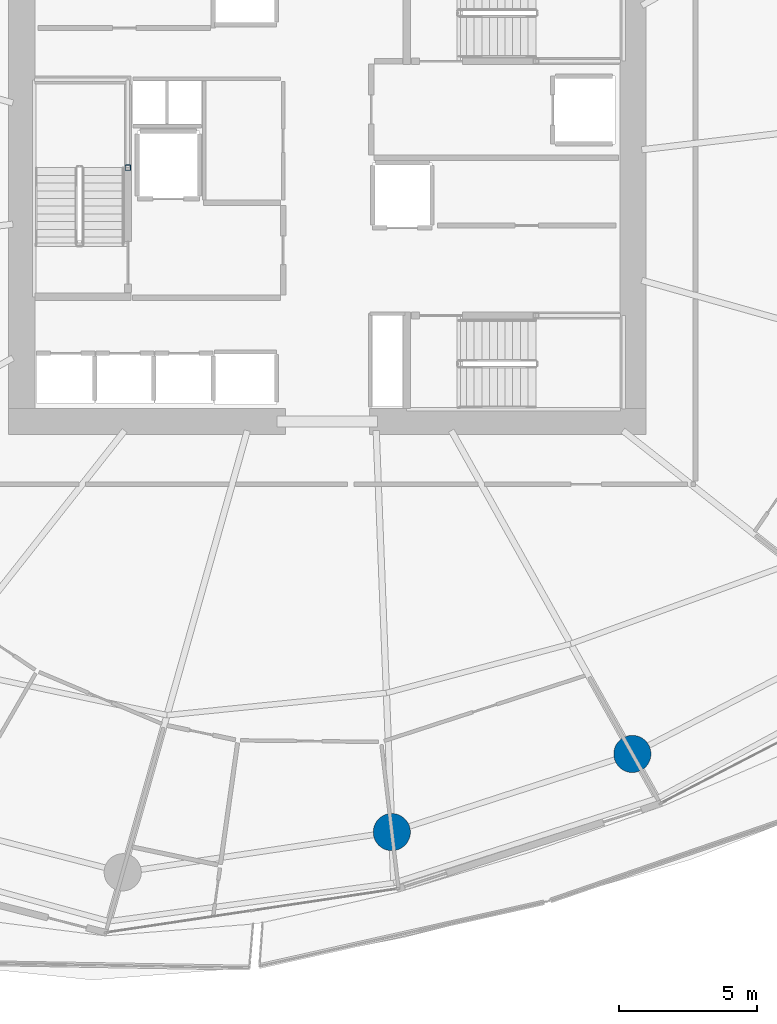
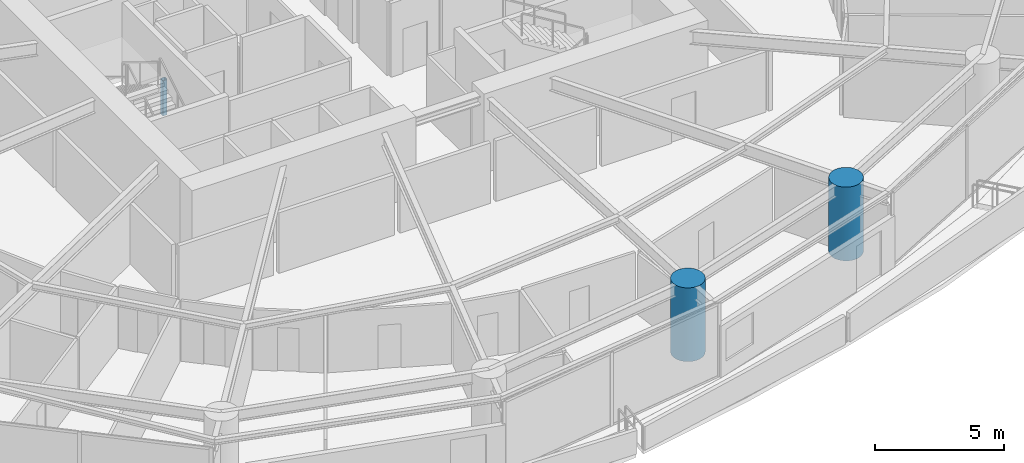
# One storey, part 2 of 31: 3 columns.
"""IFC4 building model written with IfcOpenShell, lengths in metres."""

from ifc_helpers import new_model, si_unit, direction, frame, origin, origin_2d, place, context, subcontext, project, spatial, hollow_rectangle, circle, extrude, material, material_profile, profile_set, type_object, element, save


model = new_model("IFC4")

# Units and contexts
model_context = context("Model", 3, precision=1e-05, world=origin(), true_north=direction((0.0, 1.0)))
body_context = subcontext(model_context, "Body", "Model", "MODEL_VIEW")
ifc_project = project(units=[si_unit("LENGTHUNIT", "METRE"), si_unit("AREAUNIT", "SQUARE_METRE"), si_unit("VOLUMEUNIT", "CUBIC_METRE"), si_unit("PLANEANGLEUNIT", "RADIAN"), si_unit("MASSUNIT", "GRAM", prefix="KILO")], contexts=[model_context])

# Site, building, storey
site_placement = place(None, origin())
site = spatial("IfcSite", under=ifc_project, at=site_placement, CompositionType="ELEMENT")
building_placement = place(site_placement, origin())
building = spatial("IfcBuilding", under=site, at=building_placement, Name="Kazma Halo Residences", CompositionType="ELEMENT")
storey_placement = place(building_placement, frame((0.0, 0.0, 33.89990234375)))
storey = spatial("IfcBuildingStorey", under=building, at=storey_placement, Name="L07", CompositionType="ELEMENT", Elevation=33.89990234375)

# Columns
ifc_material_1 = material(Name="Steel S355", Category="steel")
ifc_material_profile_1 = material_profile(ifc_material_1, hollow_rectangle(XDim=0.199951171875, YDim=0.199951171875, WallThickness=0.010009765625, InnerFilletRadius=0.010009765625, OuterFilletRadius=0.02001953125, at=origin_2d()), Name="SHS200x200x10")
ifc_profile_set_1 = profile_set([ifc_material_profile_1], Name="Steel S355")
column_type_1 = type_object("IfcColumnType", Name="COL-LP-SHS200", PredefinedType="COLUMN", material=ifc_profile_set_1)
column_placement = place(storey_placement, frame((41.179931640625, 42.75, 0.0), z_axis=(0.0, 0.0, 1.0), x_axis=(1.0, 0.0, 0.0)))
element("IfcColumn", 1, at=column_placement, inside=storey, type_object=column_type_1, Name="L07 ST-01 landing pilaster 1", PredefinedType="COLUMN", context=body_context, shape_type="SweptSolid", body=[
    extrude(hollow_rectangle(XDim=0.199951171875, YDim=0.199951171875, WallThickness=0.010009765625, InnerFilletRadius=0.010009765625, OuterFilletRadius=0.02001953125, at=origin_2d()), origin(), (0.0, 0.0, 1.0), 1.670166015625),
])
ifc_material_2 = material(Name="Concrete C80/95", Category="concrete")
ifc_material_profile_2 = material_profile(ifc_material_2, circle(Radius=0.675048828125, at=origin_2d()), Name="CIRC1350")
ifc_profile_set_2 = profile_set([ifc_material_profile_2], Name="Concrete C80/95")
column_type_2 = type_object("IfcColumnType", Name="COL-PERIM-1350", PredefinedType="COLUMN", material=ifc_profile_set_2)
for number, where, z_axis, x_axis, name in (
    (2, (50.768310546875, 18.610595703125, 0.0), (0.0, 0.0, 1.0), (1.0, 0.0, 0.0), "L07 perimeter ring column P12"),
    (3, (59.50830078125, 21.450439453125, 0.0), (0.0, 0.0, 1.0), (1.0, 0.0, 0.0), "L07 perimeter ring column P13"),
):
    element("IfcColumn", number, at=place(storey_placement, frame(where, z_axis=z_axis, x_axis=x_axis)), inside=storey, type_object=column_type_2, Name=name, PredefinedType="COLUMN", context=body_context, shape_type="SweptSolid", body=[
        extrude(circle(Radius=0.675048828125, at=origin_2d()), origin(), (0.0, 0.0, 1.0), 3.5),
    ])

save(model, "model.ifc")
